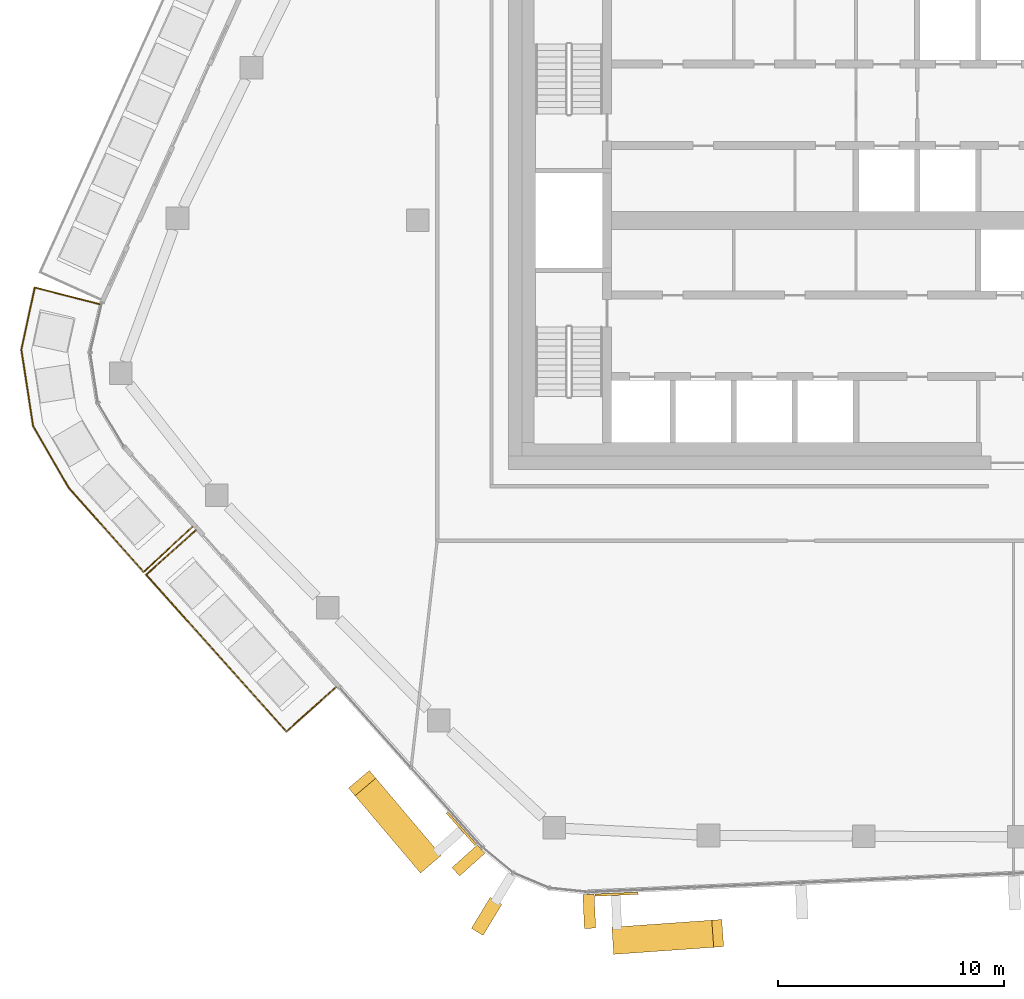
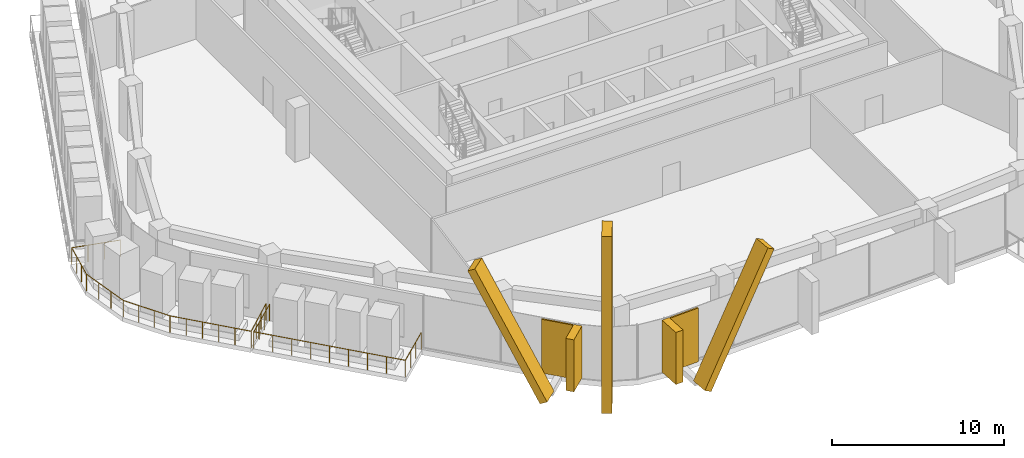
# One storey, part 17 of 23: 7 coverings, 2 railings, 3 elements without a shape of their own.
"""IFC4 building model written with IfcOpenShell, lengths in metres."""

from ifc_helpers import new_model, si_unit, direction, frame, origin, origin_2d, place, context, subcontext, project, spatial, rectangle, circle, extrude, material, layer, layer_set, material_profile, profile_set, type_object, element, aggregate, save


model = new_model("IFC4")

# Units and contexts
model_context = context("Model", 3, precision=1e-05, world=origin(), true_north=direction((0.0, 1.0)))
body_context = subcontext(model_context, "Body", "Model", "MODEL_VIEW")
ifc_project = project(units=[si_unit("LENGTHUNIT", "METRE"), si_unit("AREAUNIT", "SQUARE_METRE"), si_unit("VOLUMEUNIT", "CUBIC_METRE"), si_unit("PLANEANGLEUNIT", "RADIAN"), si_unit("MASSUNIT", "GRAM", prefix="KILO")], contexts=[model_context])

# Site, building, storey
site_placement = place(None, origin())
site = spatial("IfcSite", under=ifc_project, at=site_placement, CompositionType="ELEMENT")
building_placement = place(site_placement, origin())
building = spatial("IfcBuilding", under=site, at=building_placement, Name="Dongbaek Canopy Tower", CompositionType="ELEMENT")
storey_placement = place(building_placement, frame((0.0, 0.0, 319.39990234375)))
storey = spatial("IfcBuildingStorey", under=building, at=storey_placement, Name="L68", CompositionType="ELEMENT", Elevation=319.39990234375)

# Railings
ifc_material_1 = material(Name="Stainless steel", Category="steel")
railing_type = type_object("IfcRailingType", Name="Balcony balustrade 1200", PredefinedType="BALUSTRADE", material=ifc_material_1)
railing_1_placement = place(storey_placement, frame((-27.808349609375, -13.690673828125, 0.0)))
element("IfcRailing", 1, at=railing_1_placement, inside=storey, type_object=railing_type, Name="Balcony guard L68 3", PredefinedType="BALUSTRADE", context=body_context, shape_type="SweptSolid", body=[
    extrude(circle(Radius=0.02392578125, at=origin_2d()), frame((0.0, 0.0, 1.17578125), z_axis=(-0.745215250671, -0.666823987396, 0.0), x_axis=(0.666823987396, -0.745215250671, 0.0)), (0.0, 0.0, 1.0), 2.93994140625),
    extrude(circle(Radius=0.02392578125, at=origin_2d()), frame((-2.19091796875, -1.96044921875, 1.17578125), z_axis=(0.666887845842, -0.745158104745, 0.0), x_axis=(0.745158104745, 0.666887845842, 0.0)), (0.0, 0.0, 1.0), 9.285888671875),
    extrude(circle(Radius=0.02392578125, at=origin_2d()), frame((4.001708984375, -8.8798828125, 1.17578125), z_axis=(0.745178322448, 0.66686525457, 0.0), x_axis=(-0.66686525457, 0.745178322448, 0.0)), (0.0, 0.0, 1.0), 2.939697265625),
    extrude(circle(Radius=0.02099609375, at=origin_2d()), origin(), (0.0, 0.0, 1.0), 1.15185546875),
    extrude(circle(Radius=0.02099609375, at=origin_2d()), frame((-0.730224609375, -0.653564453125, 0.0)), (0.0, 0.0, 1.0), 1.15185546875),
    extrude(circle(Radius=0.02099609375, at=origin_2d()), frame((-1.460693359375, -1.306884765625, 0.0)), (0.0, 0.0, 1.0), 1.15185546875),
    extrude(circle(Radius=0.02099609375, at=origin_2d()), frame((-2.19091796875, -1.96044921875, 0.0)), (0.0, 0.0, 1.0), 1.15185546875),
    extrude(circle(Radius=0.02099609375, at=origin_2d()), frame((-1.416748046875, -2.825439453125, 0.0)), (0.0, 0.0, 1.0), 1.15185546875),
    extrude(circle(Radius=0.02099609375, at=origin_2d()), frame((-0.642822265625, -3.6904296875, 0.0)), (0.0, 0.0, 1.0), 1.15185546875),
    extrude(circle(Radius=0.02099609375, at=origin_2d()), frame((0.13134765625, -4.55517578125, 0.0)), (0.0, 0.0, 1.0), 1.15185546875),
    extrude(circle(Radius=0.02099609375, at=origin_2d()), frame((0.9052734375, -5.420166015625, 0.0)), (0.0, 0.0, 1.0), 1.15185546875),
    extrude(circle(Radius=0.02099609375, at=origin_2d()), frame((1.679443359375, -6.28515625, 0.0)), (0.0, 0.0, 1.0), 1.15185546875),
    extrude(circle(Radius=0.02099609375, at=origin_2d()), frame((2.45361328125, -7.14990234375, 0.0)), (0.0, 0.0, 1.0), 1.15185546875),
    extrude(circle(Radius=0.02099609375, at=origin_2d()), frame((3.2275390625, -8.014892578125, 0.0)), (0.0, 0.0, 1.0), 1.15185546875),
    extrude(circle(Radius=0.02099609375, at=origin_2d()), frame((4.001708984375, -8.8798828125, 0.0)), (0.0, 0.0, 1.0), 1.15185546875),
    extrude(circle(Radius=0.02099609375, at=origin_2d()), frame((4.73193359375, -8.226318359375, 0.0)), (0.0, 0.0, 1.0), 1.15185546875),
    extrude(circle(Radius=0.02099609375, at=origin_2d()), frame((5.462158203125, -7.572998046875, 0.0)), (0.0, 0.0, 1.0), 1.15185546875),
    extrude(circle(Radius=0.02099609375, at=origin_2d()), frame((6.1923828125, -6.91943359375, 0.0)), (0.0, 0.0, 1.0), 1.15185546875),
])
railing_2_placement = place(storey_placement, frame((-32.072509765625, -3.699951171875, 0.0)))
element("IfcRailing", 2, at=railing_2_placement, inside=storey, type_object=railing_type, Name="Balcony guard L68 6", PredefinedType="BALUSTRADE", context=body_context, shape_type="SweptSolid", body=[
    extrude(circle(Radius=0.02392578125, at=origin_2d()), frame((0.0, 0.0, 1.17578125), z_axis=(-0.968228057387, 0.250068848298, 0.0), x_axis=(-0.250068848298, -0.968228057387, 0.0)), (0.0, 0.0, 1.0), 2.940673828125),
    extrude(circle(Radius=0.02392578125, at=origin_2d()), frame((-2.84716796875, 0.7353515625, 1.17578125), z_axis=(-0.211422576538, -0.977394748364, 0.0), x_axis=(0.977394748364, -0.211422576538, 0.0)), (0.0, 0.0, 1.0), 2.808349609375),
    extrude(circle(Radius=0.02392578125, at=origin_2d()), frame((-3.44091796875, -2.009521484375, 1.17578125), z_axis=(0.152046456117, -0.988373348074, 0.0), x_axis=(0.988373348074, 0.152046456117, 0.0)), (0.0, 0.0, 1.0), 3.420166015625),
    extrude(circle(Radius=0.02392578125, at=origin_2d()), frame((-2.9208984375, -5.389892578125, 1.17578125), z_axis=(0.500895295026, -0.865507887556, 0.0), x_axis=(0.865507887556, 0.500895295026, 0.0)), (0.0, 0.0, 1.0), 3.140380859375),
    extrude(circle(Radius=0.02392578125, at=origin_2d()), frame((-1.347900390625, -8.10791015625, 1.17578125), z_axis=(0.664825724778, -0.746998497772, 0.0), x_axis=(0.746998497772, 0.664825724778, 0.0)), (0.0, 0.0, 1.0), 4.9853515625),
    extrude(circle(Radius=0.02392578125, at=origin_2d()), frame((1.966552734375, -11.83203125, 1.17578125), z_axis=(0.731414069782, 0.681933617388, 0.0), x_axis=(-0.681933617388, 0.731414069782, 0.0)), (0.0, 0.0, 1.0), 2.940673828125),
    extrude(circle(Radius=0.02099609375, at=origin_2d()), origin(), (0.0, 0.0, 1.0), 1.15185546875),
    extrude(circle(Radius=0.02099609375, at=origin_2d()), frame((-0.948974609375, 0.2451171875, 0.0)), (0.0, 0.0, 1.0), 1.15185546875),
    extrude(circle(Radius=0.02099609375, at=origin_2d()), frame((-1.898193359375, 0.490234375, 0.0)), (0.0, 0.0, 1.0), 1.15185546875),
    extrude(circle(Radius=0.02099609375, at=origin_2d()), frame((-2.84716796875, 0.7353515625, 0.0)), (0.0, 0.0, 1.0), 1.15185546875),
    extrude(circle(Radius=0.02099609375, at=origin_2d()), frame((-3.045166015625, -0.1796875, 0.0)), (0.0, 0.0, 1.0), 1.15185546875),
    extrude(circle(Radius=0.02099609375, at=origin_2d()), frame((-3.242919921875, -1.094482421875, 0.0)), (0.0, 0.0, 1.0), 1.15185546875),
    extrude(circle(Radius=0.02099609375, at=origin_2d()), frame((-3.44091796875, -2.009521484375, 0.0)), (0.0, 0.0, 1.0), 1.15185546875),
    extrude(circle(Radius=0.02099609375, at=origin_2d()), frame((-3.267578125, -3.13623046875, 0.0)), (0.0, 0.0, 1.0), 1.15185546875),
    extrude(circle(Radius=0.02099609375, at=origin_2d()), frame((-3.09423828125, -4.26318359375, 0.0)), (0.0, 0.0, 1.0), 1.15185546875),
    extrude(circle(Radius=0.02099609375, at=origin_2d()), frame((-2.9208984375, -5.389892578125, 0.0)), (0.0, 0.0, 1.0), 1.15185546875),
    extrude(circle(Radius=0.02099609375, at=origin_2d()), frame((-2.396484375, -6.2958984375, 0.0)), (0.0, 0.0, 1.0), 1.15185546875),
    extrude(circle(Radius=0.02099609375, at=origin_2d()), frame((-1.872314453125, -7.201904296875, 0.0)), (0.0, 0.0, 1.0), 1.15185546875),
    extrude(circle(Radius=0.02099609375, at=origin_2d()), frame((-1.347900390625, -8.10791015625, 0.0)), (0.0, 0.0, 1.0), 1.15185546875),
    extrude(circle(Radius=0.02099609375, at=origin_2d()), frame((-0.68505859375, -8.852783203125, 0.0)), (0.0, 0.0, 1.0), 1.15185546875),
    extrude(circle(Radius=0.02099609375, at=origin_2d()), frame((-0.022216796875, -9.59765625, 0.0)), (0.0, 0.0, 1.0), 1.15185546875),
    extrude(circle(Radius=0.02099609375, at=origin_2d()), frame((0.640869140625, -10.34228515625, 0.0)), (0.0, 0.0, 1.0), 1.15185546875),
    extrude(circle(Radius=0.02099609375, at=origin_2d()), frame((1.3037109375, -11.087158203125, 0.0)), (0.0, 0.0, 1.0), 1.15185546875),
    extrude(circle(Radius=0.02099609375, at=origin_2d()), frame((1.966552734375, -11.83203125, 0.0)), (0.0, 0.0, 1.0), 1.15185546875),
    extrude(circle(Radius=0.02099609375, at=origin_2d()), frame((2.68359375, -11.16357421875, 0.0)), (0.0, 0.0, 1.0), 1.15185546875),
    extrude(circle(Radius=0.02099609375, at=origin_2d()), frame((3.400390625, -10.4951171875, 0.0)), (0.0, 0.0, 1.0), 1.15185546875),
    extrude(circle(Radius=0.02099609375, at=origin_2d()), frame((4.117431640625, -9.82666015625, 0.0)), (0.0, 0.0, 1.0), 1.15185546875),
])

# Curtain wall, covering
ifc_material_2 = material(Name="Aluminium 6063-T6 pale anodised", Category="aluminium")
ifc_layer_1 = layer(ifc_material_2, 0.199951171875)
ifc_layer_set_1 = layer_set([ifc_layer_1], Name="CW-1 unitised tower curtain wall")
curtain_wall_type = type_object("IfcCurtainWallType", Name="CW-1 unitised tower curtain wall", PredefinedType="NOTDEFINED", material=ifc_layer_set_1)
curtain_wall_1_placement = place(storey_placement, origin())
curtain_wall_1 = element("IfcCurtainWall", 3, at=curtain_wall_1_placement, inside=storey, type_object=curtain_wall_type, Name="CW-1 curtain wall K4.1", PredefinedType="NOTDEFINED")
ifc_material_3 = material(Name="Aluminium 6063-T6 pale metal fin", Category="aluminium")
ifc_material_profile_1 = material_profile(ifc_material_3, rectangle(XDim=1.60009765625, YDim=0.60009765625, at=origin_2d()), Name="Corner fin CN1 600 x 1600 pale metal")
ifc_profile_set_1 = profile_set([ifc_material_profile_1], Name="Aluminium 6063-T6 pale metal fin")
covering_type_1 = type_object("IfcCoveringType", Name="Corner fin CN1 600 x 1600 pale metal", PredefinedType="CLADDING", material=ifc_profile_set_1)
covering_1_placement = place(storey_placement, frame((-14.96435546875, -30.7392578125, -0.18994140625), z_axis=(0.0, 0.0, 1.0), x_axis=(-0.519267057557, -0.854612030652, 0.0)))
covering_1 = element("IfcCovering", 4, at=covering_1_placement, type_object=covering_type_1, Name="Corner fin L68 L70 K4", PredefinedType="CLADDING", context=body_context, shape_type="SweptSolid", body=[
    extrude(rectangle(XDim=1.60009765625, YDim=0.60009765625, at=origin_2d()), origin(), (0.0, 0.0, 1.0), 12.580078125),
])
aggregate(curtain_wall_1, [covering_1])

curtain_wall_2_placement = place(storey_placement, origin())
curtain_wall_2 = element("IfcCurtainWall", 5, at=curtain_wall_2_placement, inside=storey, type_object=curtain_wall_type, Name="CW-1 curtain wall F3.1", PredefinedType="NOTDEFINED")
ifc_material_4 = material(Name="Aluminium 6063-T6 pale metal fin", Category="aluminium")
ifc_material_profile_2 = material_profile(ifc_material_4, rectangle(XDim=1.199951171875, YDim=0.5, at=origin_2d()), Name="Crease fin CF1 500 x 1200 pale metal")
ifc_profile_set_2 = profile_set([ifc_material_profile_2], Name="Aluminium 6063-T6 pale metal fin")
covering_type_2 = type_object("IfcCoveringType", Name="Crease fin CF1 500 x 1200 pale metal", PredefinedType="CLADDING", material=ifc_profile_set_2)
covering_2_placement = place(storey_placement, frame((-17.5712890625, -28.269775390625, -0.18994140625), z_axis=(-0.303565795091, 0.358773569201, 0.882683031497), x_axis=(-0.763398708468, -0.645927559335, 0.0)))
covering_2 = element("IfcCovering", 6, at=covering_2_placement, type_object=covering_type_2, Name="Crease fin L68 L70 F3", PredefinedType="CLADDING", context=body_context, shape_type="SweptSolid", body=[
    extrude(rectangle(XDim=1.199951171875, YDim=0.5, at=origin_2d()), origin(), (0.0, 0.0, 1.0), 9.5166015625),
])

curtain_wall_3_placement = place(storey_placement, origin())
curtain_wall_3 = element("IfcCurtainWall", 7, at=curtain_wall_3_placement, inside=storey, type_object=curtain_wall_type, Name="CW-1 curtain wall F4.1", PredefinedType="NOTDEFINED")
covering_3_placement = place(storey_placement, frame((-9.173095703125, -31.802734375, -0.18994140625), z_axis=(0.464973130182, 0.032810137373, 0.884716611743), x_axis=(-0.070388490774, 0.997519654125, 0.0)))
covering_3 = element("IfcCovering", 8, at=covering_3_placement, type_object=covering_type_2, Name="Crease fin L68 L70 F4", PredefinedType="CLADDING", context=body_context, shape_type="SweptSolid", body=[
    extrude(rectangle(XDim=1.199951171875, YDim=0.5, at=origin_2d()), origin(), (0.0, 0.0, 1.0), 9.49462890625),
])

# Covering
ifc_material_5 = material(Name="Perforated aluminium 6063-T6 pale metal screen", Category="aluminium")
ifc_layer_2 = layer(ifc_material_5, 0.10009765625)
ifc_layer_set_2 = layer_set([ifc_layer_2], Name="Facet screen FS1 100 pale metal")
covering_type_3 = type_object("IfcCoveringType", Name="Facet screen FS1 100 pale metal", PredefinedType="CLADDING", material=ifc_layer_set_2)
covering_4_placement = place(storey_placement, frame((-16.076171875, -26.869140625, 0.0), z_axis=(0.0, 0.0, 1.0), x_axis=(0.666879791851, -0.74516531268, 0.0)))
covering_4 = element("IfcCovering", 9, at=covering_4_placement, type_object=covering_type_3, Name="Facet screen L68 F3", PredefinedType="CLADDING", context=body_context, shape_type="SweptSolid", body=[
    extrude(rectangle(XDim=1.920166015625, YDim=0.10009765625, at=origin_2d()), origin(), (0.0, 0.0, 1.0), 3.820068359375),
])

covering_5_placement = place(storey_placement, frame((-9.220947265625, -29.760009765625, 0.0), z_axis=(0.0, 0.0, 1.0), x_axis=(0.999050275988, 0.043572308279, 0.0)))
covering_5 = element("IfcCovering", 10, at=covering_5_placement, type_object=covering_type_3, Name="Facet screen L68 F4", PredefinedType="CLADDING", context=body_context, shape_type="SweptSolid", body=[
    extrude(rectangle(XDim=1.903564453125, YDim=0.10009765625, at=origin_2d()), origin(), (0.0, 0.0, 1.0), 3.820068359375),
])

ifc_material_6 = material(Name="Aluminium 6063-T6 pale metal fin", Category="aluminium")
ifc_material_profile_3 = material_profile(ifc_material_6, rectangle(XDim=1.5, YDim=0.5, at=origin_2d()), Name="Fin FN1 500 x 1500 pale metal")
ifc_profile_set_3 = profile_set([ifc_material_profile_3], Name="Aluminium 6063-T6 pale metal fin")
covering_type_4 = type_object("IfcCoveringType", Name="Fin FN1 500 x 1500 pale metal", PredefinedType="CLADDING", material=ifc_profile_set_3)
covering_6_placement = place(storey_placement, frame((-15.76708984375, -28.27001953125, 0.1201171875), z_axis=(0.0, 0.0, 1.0), x_axis=(-0.745164960814, -0.666880185022, 0.0)))
covering_6 = element("IfcCovering", 11, at=covering_6_placement, type_object=covering_type_4, Name="Fin F3.1.3", PredefinedType="CLADDING", context=body_context, shape_type="SweptSolid", body=[
    extrude(rectangle(XDim=1.5, YDim=0.5, at=origin_2d()), origin(), (0.0, 0.0, 1.0), 3.699951171875),
])

aggregate(curtain_wall_2, [covering_6, covering_2, covering_4])

covering_7_placement = place(storey_placement, frame((-10.430908203125, -30.517333984375, 0.1201171875), z_axis=(0.0, 0.0, 1.0), x_axis=(0.04357165489, -0.999050304484, 0.0)))
covering_7 = element("IfcCovering", 12, at=covering_7_placement, type_object=covering_type_4, Name="Fin F4.1.1", PredefinedType="CLADDING", context=body_context, shape_type="SweptSolid", body=[
    extrude(rectangle(XDim=1.5, YDim=0.5, at=origin_2d()), origin(), (0.0, 0.0, 1.0), 3.699951171875),
])

aggregate(curtain_wall_3, [covering_7, covering_3, covering_5])

save(model, "model.ifc")
